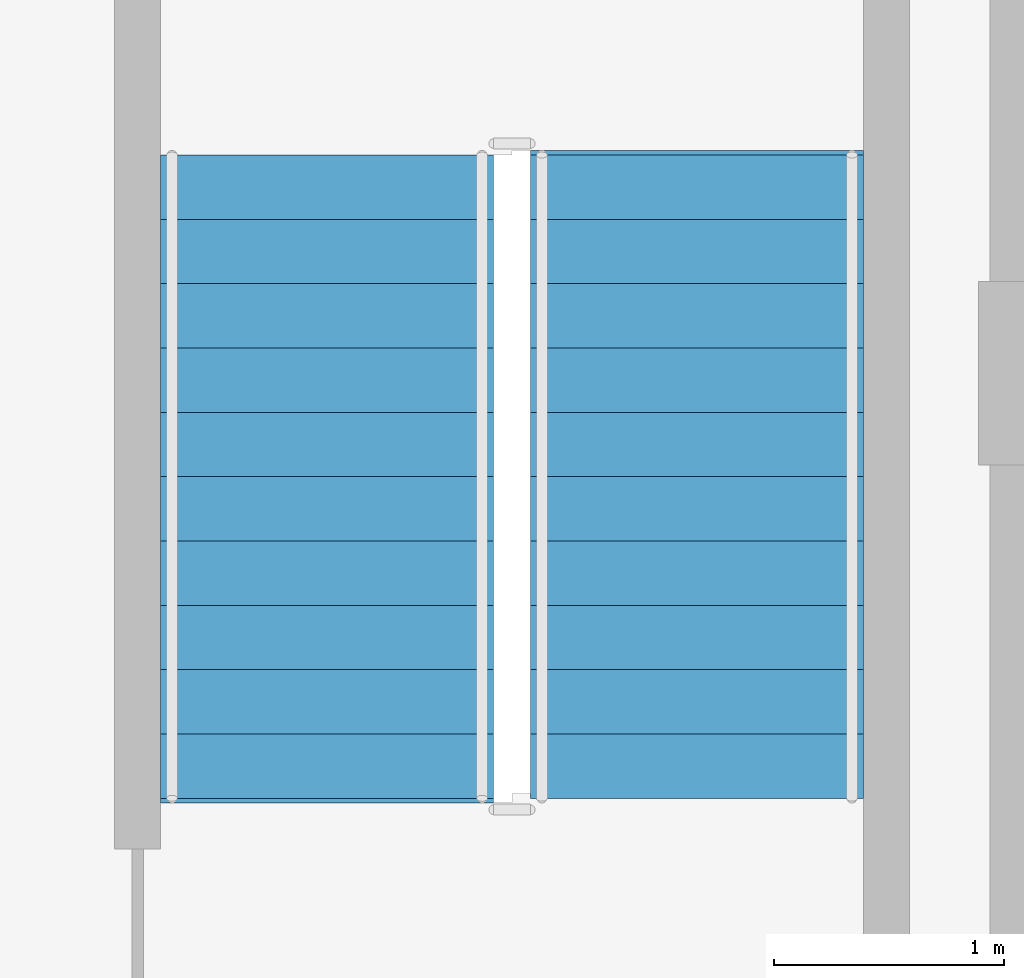
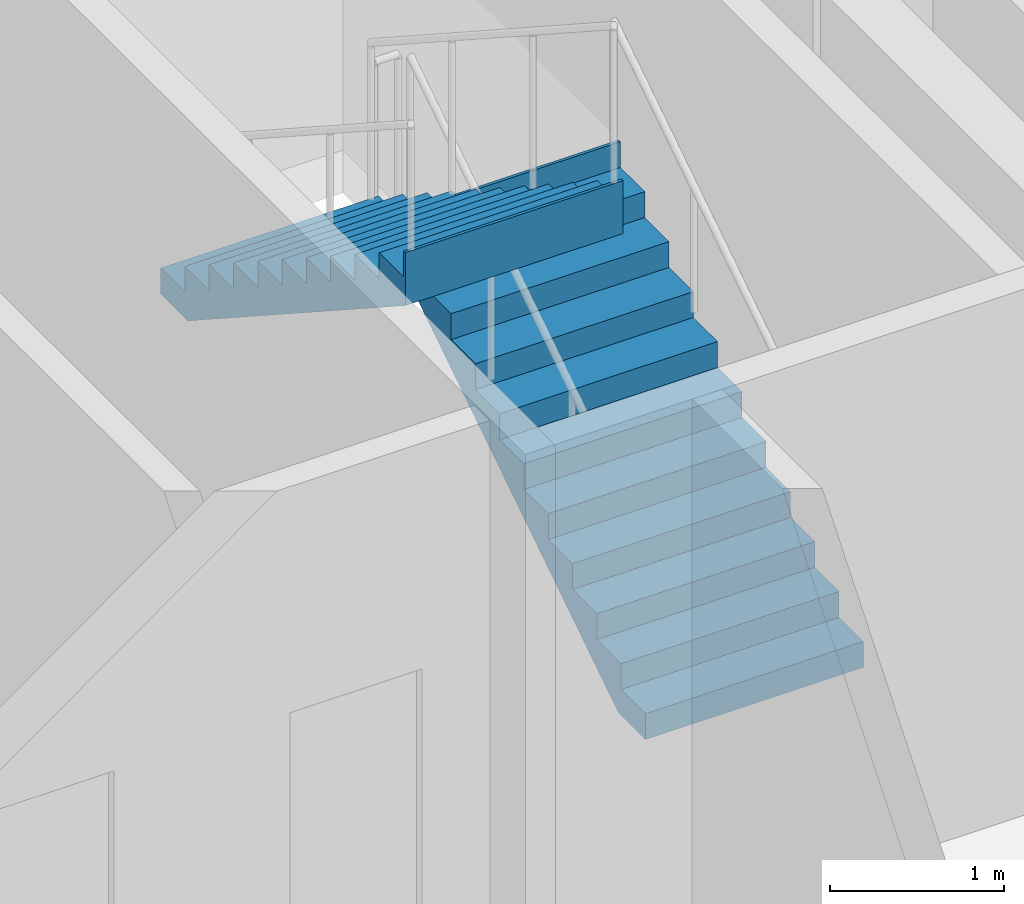
# One storey, part 4 of 10: 2 stair flights, 1 element without a shape of its own.
"""IFC4 building model written with IfcOpenShell, lengths in metres."""

from ifc_helpers import new_model, si_unit, direction, frame, origin, place, context, subcontext, project, spatial, polyline, outline, extrude, material, type_object, element, aggregate, save


model = new_model("IFC4")

# Units and contexts
model_context = context("Model", 3, precision=1e-05, world=origin(), true_north=direction((0.0, 1.0)))
body_context = subcontext(model_context, "Body", "Model", "MODEL_VIEW")
ifc_project = project(units=[si_unit("LENGTHUNIT", "METRE"), si_unit("AREAUNIT", "SQUARE_METRE"), si_unit("VOLUMEUNIT", "CUBIC_METRE"), si_unit("PLANEANGLEUNIT", "RADIAN"), si_unit("MASSUNIT", "GRAM", prefix="KILO")], contexts=[model_context])

# Site, building, storey
site_placement = place(None, origin())
site = spatial("IfcSite", under=ifc_project, at=site_placement, CompositionType="ELEMENT")
building_placement = place(site_placement, origin())
building = spatial("IfcBuilding", under=site, at=building_placement, Name="Nuvemarco Arch Tower", CompositionType="ELEMENT")
storey_placement = place(building_placement, frame((0.0, 0.0, 299.14990234375)))
storey = spatial("IfcBuildingStorey", under=building, at=storey_placement, Name="L79", CompositionType="ELEMENT", Elevation=299.14990234375)

# Stair, stair flights
ifc_material = material(Name="Precast concrete C45/55", Category="concrete")
stair_type = type_object("IfcStairType", Name="ST-CORE-22R", PredefinedType="HALF_TURN_STAIR", material=ifc_material)
stair_placement = place(storey_placement, origin())
stair = element("IfcStair", 1, at=stair_placement, inside=storey, type_object=stair_type, Name="L79 Protected Exit Stair ST-2", PredefinedType="HALF_TURN_STAIR")
stair_flight_type = type_object("IfcStairFlightType", Name="SF-CORE-22R", PredefinedType="STRAIGHT", material=ifc_material)
stair_flight_1_placement = place(storey_placement, frame((15.875, 2.64990234375, 0.0), z_axis=(0.0, 0.0, 1.0), x_axis=(0.0, 1.0, 0.0)))
stair_flight_1 = element("IfcStairFlight", 2, at=stair_flight_1_placement, type_object=stair_flight_type, Name="ST-22R flight 1", NumberOfRisers=11, NumberOfTreads=10, PredefinedType="STRAIGHT", RiserHeight=0.181818182, TreadLength=0.28, context=body_context, shape_type="SweptSolid", body=[
    extrude(outline(polyline([(0.0, 0.0), (0.0, 0.181884765625), (0.280029296875, 0.181884765625), (0.280029296875, 0.363525390625), (0.56005859375, 0.363525390625), (0.56005859375, 0.54541015625), (0.840087890625, 0.54541015625), (0.840087890625, 0.727294921875), (1.1201171875, 0.727294921875), (1.1201171875, 0.9091796875), (1.39990234375, 0.9091796875), (1.39990234375, 1.0908203125), (1.679931640625, 1.0908203125), (1.679931640625, 1.272705078125), (1.9599609375, 1.272705078125), (1.9599609375, 1.45458984375), (2.239990234375, 1.45458984375), (2.239990234375, 1.636474609375), (2.52001953125, 1.636474609375), (2.52001953125, 1.818115234375), (2.800048828125, 1.818115234375), (2.800048828125, 2.0), (2.820068359375, 2.0), (2.820068359375, 1.62744140625), (0.313720703125, 0.0), (0.0, 0.0)])), frame((0.0, 0.72509765625, 0.0), z_axis=(0.0, -1.0, 0.0), x_axis=(1.0, 0.0, 0.0)), (0.0, 0.0, 1.0), 1.449951171875),
])
stair_flight_2_placement = place(storey_placement, frame((14.264892578125, 5.449951171875, 2.0), z_axis=(0.0, 0.0, 1.0), x_axis=(0.0, -1.0, 0.0)))
stair_flight_2 = element("IfcStairFlight", 3, at=stair_flight_2_placement, type_object=stair_flight_type, Name="ST-22R flight 2", NumberOfRisers=11, NumberOfTreads=10, PredefinedType="STRAIGHT", RiserHeight=0.181818182, TreadLength=0.28, context=body_context, shape_type="SweptSolid", body=[
    extrude(outline(polyline([(0.0, 0.0), (0.0, 0.181884765625), (0.280029296875, 0.181884765625), (0.280029296875, 0.363525390625), (0.56005859375, 0.363525390625), (0.56005859375, 0.54541015625), (0.840087890625, 0.54541015625), (0.840087890625, 0.727294921875), (1.1201171875, 0.727294921875), (1.1201171875, 0.9091796875), (1.39990234375, 0.9091796875), (1.39990234375, 1.0908203125), (1.679931640625, 1.0908203125), (1.679931640625, 1.272705078125), (1.9599609375, 1.272705078125), (1.9599609375, 1.45458984375), (2.239990234375, 1.45458984375), (2.239990234375, 1.636474609375), (2.52001953125, 1.636474609375), (2.52001953125, 1.818115234375), (2.800048828125, 1.818115234375), (2.800048828125, 2.0), (2.820068359375, 2.0), (2.820068359375, 1.62744140625), (0.313720703125, 0.0), (0.0, 0.0)])), frame((0.0, 0.72509765625, 0.0), z_axis=(0.0, -1.0, 0.0), x_axis=(1.0, 0.0, 0.0)), (0.0, 0.0, 1.0), 1.449951171875),
])
aggregate(stair, [stair_flight_1, stair_flight_2])

save(model, "model.ifc")
